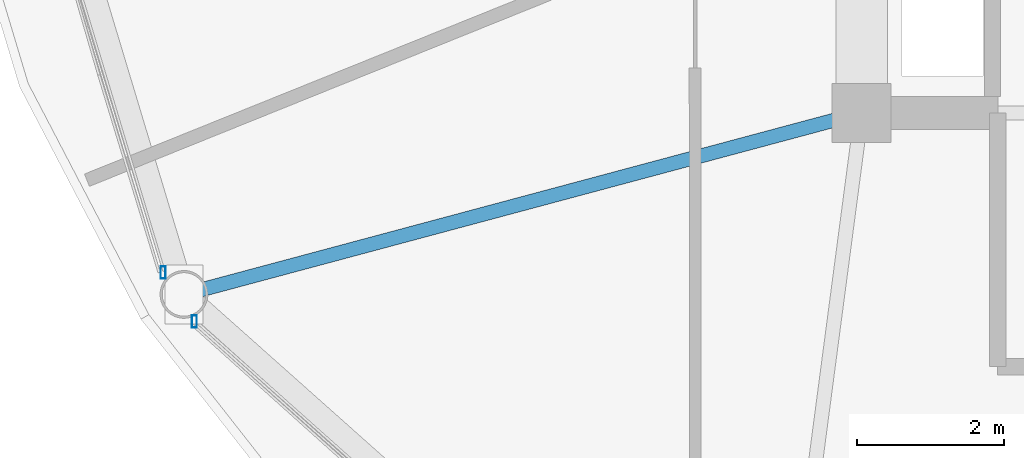
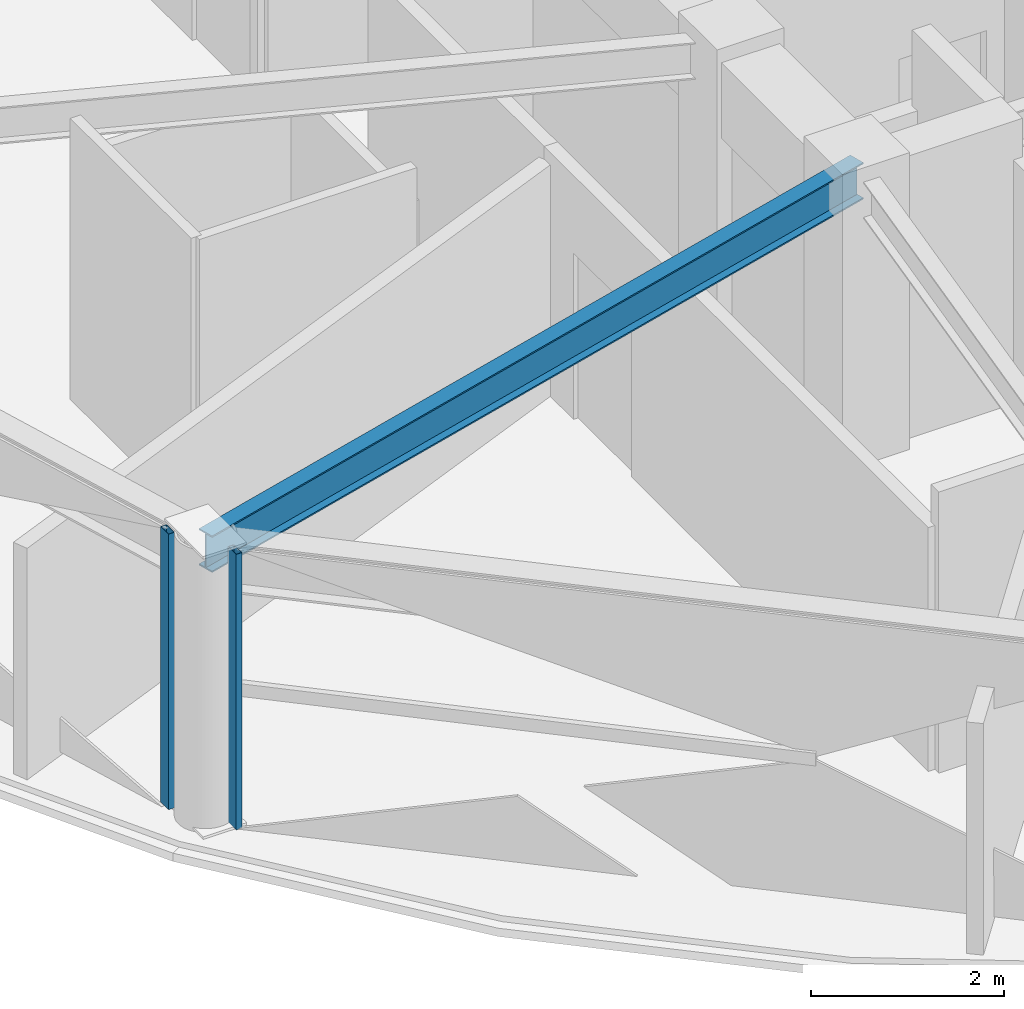
# One storey, part 3 of 28: 2 members, 1 beam, 2 elements without a shape of their own.
"""IFC4 building model written with IfcOpenShell, lengths in metres."""

from ifc_helpers import new_model, si_unit, direction, frame, origin, origin_2d, place, context, subcontext, project, spatial, hollow_rectangle, i_section, extrude, material, layer, layer_set, material_profile, profile_set, type_object, element, aggregate, save


model = new_model("IFC4")

# Units and contexts
model_context = context("Model", 3, precision=1e-05, world=origin(), true_north=direction((0.0, 1.0)))
body_context = subcontext(model_context, "Body", "Model", "MODEL_VIEW")
ifc_project = project(units=[si_unit("LENGTHUNIT", "METRE"), si_unit("AREAUNIT", "SQUARE_METRE"), si_unit("VOLUMEUNIT", "CUBIC_METRE"), si_unit("PLANEANGLEUNIT", "RADIAN"), si_unit("MASSUNIT", "GRAM", prefix="KILO")], contexts=[model_context])

# Site, building, storey
site_placement = place(None, origin())
site = spatial("IfcSite", under=ifc_project, at=site_placement, CompositionType="ELEMENT")
building_placement = place(site_placement, origin())
building = spatial("IfcBuilding", under=site, at=building_placement, Name="Vantalir Tower", CompositionType="ELEMENT")
storey_placement = place(building_placement, frame((0.0, 0.0, 246.14990234375)))
storey = spatial("IfcBuildingStorey", under=building, at=storey_placement, Name="L62", CompositionType="ELEMENT", Elevation=246.14990234375)

# Beam
ifc_material_1 = material(Name="Steel S355", Category="steel")
ifc_material_profile_1 = material_profile(ifc_material_1, i_section(OverallWidth=0.19189453125, OverallDepth=0.462890625, WebThickness=0.010498046875, FlangeThickness=0.017578125, at=origin_2d()), Name="Steel S355")
ifc_profile_set_1 = profile_set([ifc_material_profile_1], Name="Steel S355")
beam_type = type_object("IfcBeamType", Name="BM-RB-457x191", PredefinedType="BEAM", material=ifc_profile_set_1)
beam_placement = place(storey_placement, frame((12.69189453125, 15.3330078125, 3.338134765625), z_axis=(0.965932047749, 0.25879582518, 0.0), x_axis=(-0.25879582518, 0.965932047749, 0.0)))
element("IfcBeam", 1, at=beam_placement, inside=storey, type_object=beam_type, Name="L62 Radial Floor Beam 08", PredefinedType="BEAM", context=body_context, shape_type="SweptSolid", body=[
    extrude(i_section(OverallWidth=0.19189453125, OverallDepth=0.462890625, WebThickness=0.010498046875, FlangeThickness=0.017578125, at=origin_2d()), origin(), (0.0, 0.0, 1.0), 9.53271484375),
])

# Curtain wall, member
ifc_material_2 = material(Name="Champagne-silver PVDF aluminium and double-silver Low-E glass", Category="aluminium")
ifc_layer = layer(ifc_material_2, 0.2099609375)
ifc_layer_set = layer_set([ifc_layer], Name="Champagne-silver PVDF aluminium and double-silver Low-E glass")
curtain_wall_type = type_object("IfcCurtainWallType", Name="CW-DIAMOND-Z3", PredefinedType="USERDEFINED", material=ifc_layer_set)
curtain_wall_1_placement = place(storey_placement, origin())
curtain_wall_1 = element("IfcCurtainWall", 2, at=curtain_wall_1_placement, inside=storey, type_object=curtain_wall_type, Name="L62 Quilted Pyramid-Diamond Curtain Wall S07", ObjectType="UNITISED CURTAIN WALL", PredefinedType="USERDEFINED")
ifc_material_3 = material(Name="Champagne-silver PVDF aluminium 6063-T6", Category="aluminium")
ifc_material_profile_2 = material_profile(ifc_material_3, hollow_rectangle(XDim=0.070068359375, YDim=0.1650390625, WallThickness=0.00390625, at=origin_2d()), Name="Champagne-silver PVDF aluminium 6063-T6")
ifc_profile_set_2 = profile_set([ifc_material_profile_2], Name="Champagne-silver PVDF aluminium 6063-T6")
member_type = type_object("IfcMemberType", Name="CWM-165x70", PredefinedType="MULLION", material=ifc_profile_set_2)
member_1_placement = place(storey_placement, frame((12.408935546875, 15.631103515625, 0.045166015625), z_axis=(0.0, 0.0, 1.0), x_axis=(1.0, 0.0, 0.0)))
member_1 = element("IfcMember", 3, at=member_1_placement, type_object=member_type, Name="CW-L62-S07 Mullion 2", PredefinedType="MULLION", context=body_context, shape_type="SweptSolid", body=[
    extrude(hollow_rectangle(XDim=0.070068359375, YDim=0.1650390625, WallThickness=0.00390625, at=origin_2d()), origin(), (0.0, 0.0, 1.0), 3.47998046875),
])
aggregate(curtain_wall_1, [member_1])

curtain_wall_2_placement = place(storey_placement, origin())
curtain_wall_2 = element("IfcCurtainWall", 4, at=curtain_wall_2_placement, inside=storey, type_object=curtain_wall_type, Name="L62 Quilted Pyramid-Diamond Curtain Wall S08", ObjectType="UNITISED CURTAIN WALL", PredefinedType="USERDEFINED")
member_2_placement = place(storey_placement, frame((12.8330078125, 14.965087890625, 0.045166015625), z_axis=(0.0, 0.0, 1.0), x_axis=(1.0, 0.0, 0.0)))
member_2 = element("IfcMember", 5, at=member_2_placement, type_object=member_type, Name="CW-L62-S08 Mullion 1", PredefinedType="MULLION", context=body_context, shape_type="SweptSolid", body=[
    extrude(hollow_rectangle(XDim=0.070068359375, YDim=0.1650390625, WallThickness=0.00390625, at=origin_2d()), origin(), (0.0, 0.0, 1.0), 3.47998046875),
])
aggregate(curtain_wall_2, [member_2])

save(model, "model.ifc")
